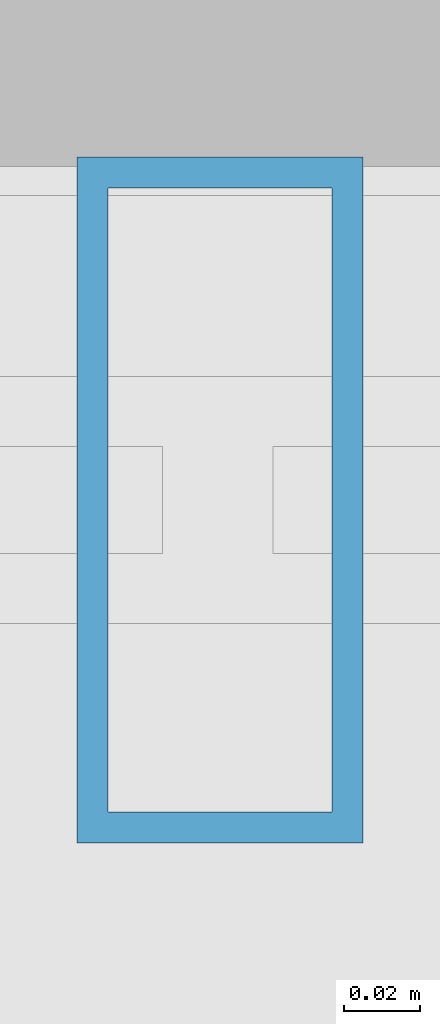
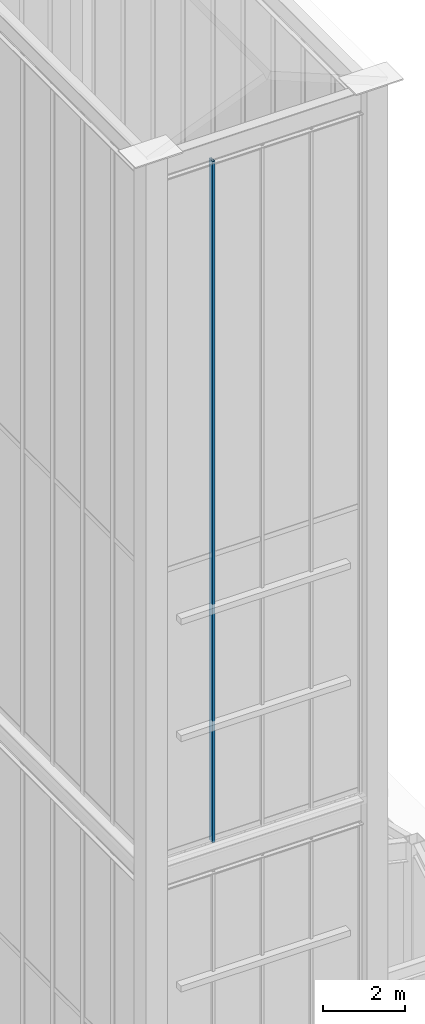
# One storey, part 33 of 135: 1 member, 1 element without a shape of its own.
"""IFC4 building model written with IfcOpenShell, lengths in metres."""

from ifc_helpers import new_model, si_unit, direction, frame, origin, origin_2d, place, context, subcontext, project, spatial, hollow_rectangle, extrude, source, transform, mapped, material, layer, layer_set, material_profile, profile_set, type_object, element, aggregate, save


model = new_model("IFC4")

# Units and contexts
model_context = context("Model", 3, precision=1e-05, world=origin(), true_north=direction((0.0, 1.0)))
body_context = subcontext(model_context, "Body", "Model", "MODEL_VIEW")
ifc_project = project(units=[si_unit("LENGTHUNIT", "METRE"), si_unit("AREAUNIT", "SQUARE_METRE"), si_unit("VOLUMEUNIT", "CUBIC_METRE"), si_unit("PLANEANGLEUNIT", "RADIAN"), si_unit("MASSUNIT", "GRAM", prefix="KILO")], contexts=[model_context])

# Site, building, storey
site_placement = place(None, origin())
site = spatial("IfcSite", under=ifc_project, at=site_placement, CompositionType="ELEMENT")
building_placement = place(site_placement, origin())
building = spatial("IfcBuilding", under=site, at=building_placement, Name="Giltprow Tower", CompositionType="ELEMENT")
storey_placement = place(building_placement, frame((0.0, 0.0, 352.699951171875)))
storey = spatial("IfcBuildingStorey", under=building, at=storey_placement, Name="L92", CompositionType="ELEMENT", Elevation=352.699951171875)

# Curtain wall, member
ifc_material = material(Name="Anodized bronze", Category="metal")
ifc_layer = layer(ifc_material, 0.179931640625, Name="Anodized bronze")
ifc_layer_set = layer_set([ifc_layer], Name="Anodized bronze")
curtain_wall_type = type_object("IfcCurtainWallType", Name="CW-CROWN-LANTERN", PredefinedType="NOTDEFINED", material=ifc_layer_set)
curtain_wall_placement = place(storey_placement, origin())
curtain_wall = element("IfcCurtainWall", 1, at=curtain_wall_placement, inside=storey, type_object=curtain_wall_type, Name="Crown East Upper Lantern Glazing 1", PredefinedType="NOTDEFINED")
ifc_material_profile = material_profile(ifc_material, hollow_rectangle(XDim=0.074951171875, YDim=0.179931640625, WallThickness=0.008056640625, at=origin_2d()), Name="RHS 180x75x8")
ifc_profile_set = profile_set([ifc_material_profile], Name="Anodized bronze")
member_type = type_object("IfcMemberType", Name="CW-MULLION-180x75", PredefinedType="MULLION", material=ifc_profile_set)
shared_shape = source(origin(), body_context, "Body", "SweptSolid", [
    extrude(hollow_rectangle(XDim=0.074951171875, YDim=0.179931640625, WallThickness=0.008056640625, at=origin_2d()), origin(), (0.0, 0.0, 1.0), 20.406005859375),
])
member_placement = place(storey_placement, frame((46.0380859375, 23.5, 17.25), z_axis=(0.0, 0.0, 1.0), x_axis=(1.0, 0.0, 0.0)))
member = element("IfcMember", 2, at=member_placement, type_object=member_type, Name="Crown East Upper Lantern Glazing 1 Mullion 2", PredefinedType="MULLION", context=body_context, shape_type="MappedRepresentation", body=[
    mapped(shared_shape, transform((0.0, 0.0, 0.0), x_axis=(1.0, 0.0, 0.0), y_axis=(0.0, 1.0, 0.0), z_axis=(0.0, 0.0, 1.0), scale=1.0)),
])
aggregate(curtain_wall, [member])

save(model, "model.ifc")
